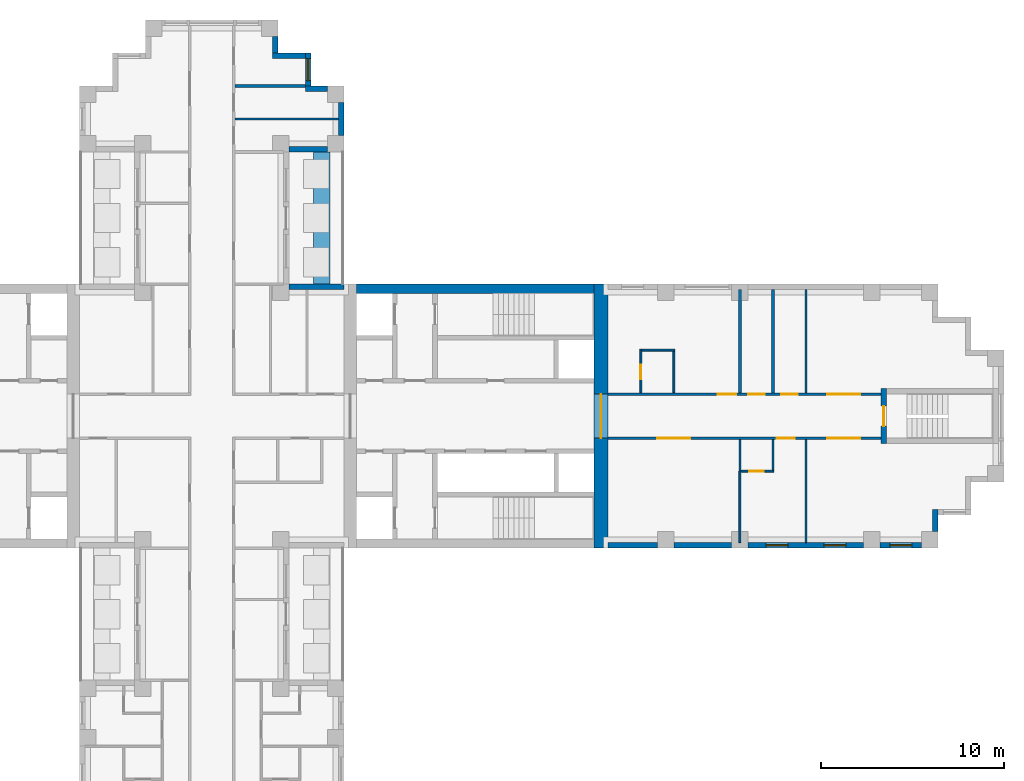
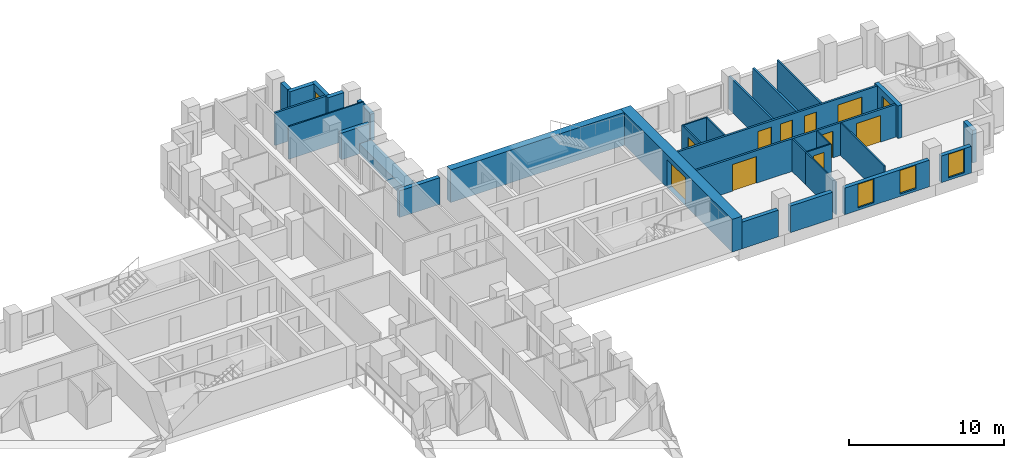
# One storey, part 10 of 14: 31 walls, 11 doors, 4 windows, 15 openings.
"""IFC4 building model written with IfcOpenShell, lengths in metres."""

from ifc_helpers import new_model, si_unit, direction, frame, frame_2d, origin, place, context, subcontext, project, spatial, rectangle, extrude, material, layer, layer_set, type_object, element, fill, save


model = new_model("IFC4")

# Units and contexts
model_context = context("Model", 3, precision=1e-05, world=origin(), true_north=direction((0.0, 1.0)))
body_context = subcontext(model_context, "Body", "Model", "MODEL_VIEW")
ifc_project = project(units=[si_unit("LENGTHUNIT", "METRE"), si_unit("AREAUNIT", "SQUARE_METRE"), si_unit("VOLUMEUNIT", "CUBIC_METRE"), si_unit("PLANEANGLEUNIT", "RADIAN"), si_unit("MASSUNIT", "GRAM", prefix="KILO")], contexts=[model_context])

# Site, building, storey
site_placement = place(None, origin())
site = spatial("IfcSite", under=ifc_project, at=site_placement, CompositionType="ELEMENT")
building_placement = place(site_placement, origin())
building = spatial("IfcBuilding", under=site, at=building_placement, Name="Fustian Cross Tower", CompositionType="ELEMENT")
storey_placement = place(building_placement, frame((0.0, 0.0, 93.89990234375)))
storey = spatial("IfcBuildingStorey", under=building, at=storey_placement, Name="L29", CompositionType="ELEMENT", Elevation=93.89990234375)

# Wall
ifc_material_1 = material(Name="Plasterboard on steel stud", Category="steel")
ifc_layer_1 = layer(ifc_material_1, 0.14990234375)
ifc_layer_set_1 = layer_set([ifc_layer_1], Name="Plasterboard on steel stud")
wall_type_1 = type_object("IfcWallType", Name="COMPARTMENT WALL 150 EI 60", PredefinedType="PARTITIONING", material=ifc_layer_set_1)
wall_1_placement = place(storey_placement, frame((1.27490234375, 18.0, 0.0), z_axis=(0.0, 0.0, 1.0), x_axis=(1.0, 0.0, 0.0)))
element("IfcWall", 1, at=wall_1_placement, inside=storey, type_object=wall_type_1, Name="Partition 55", PredefinedType="PARTITIONING", context=body_context, shape_type="SweptSolid", body=[
    extrude(rectangle(XDim=3.8251953125, YDim=0.14990234375, at=frame_2d((1.91259765625, 0.0))), origin(), (0.0, 0.0, 1.0), 2.5751953125),
])

# Wall, openings, doors
wall_2_placement = place(storey_placement, frame((21.60009765625, -1.199951171875, 0.0), z_axis=(0.0, 0.0, 1.0), x_axis=(1.0, 0.0, 0.0)))
wall_2 = element("IfcWall", 2, at=wall_2_placement, inside=storey, type_object=wall_type_1, Name="Partition 78", PredefinedType="PARTITIONING", context=body_context, shape_type="SweptSolid", body=[
    extrude(rectangle(XDim=14.89990234375, YDim=0.14990234375, at=frame_2d((7.449951171875, 0.0))), origin(), (0.0, 0.0, 1.0), 2.5751953125),
])
opening_1_placement = place(wall_2_placement, frame((2.699951171875, 0.0, 0.0)))
opening_1 = element("IfcOpeningElement", 3, at=opening_1_placement, cuts=wall_2, Name="Opening D14016", PredefinedType="OPENING", context=body_context, shape_type="SweptSolid", body=[
    extrude(rectangle(XDim=1.800048828125, YDim=2.10009765625, at=frame_2d((0.89990234375, 1.050048828125))), frame((0.0, 0.0849609375, 0.0), z_axis=(0.0, -1.0, 0.0), x_axis=(1.0, 0.0, 0.0)), (0.0, 0.0, 1.0), 0.169921875),
])
opening_2_placement = place(wall_2_placement, frame((9.199951171875, 0.0, 0.0)))
opening_2 = element("IfcOpeningElement", 4, at=opening_2_placement, cuts=wall_2, Name="Opening D14018", PredefinedType="OPENING", context=body_context, shape_type="SweptSolid", body=[
    extrude(rectangle(XDim=1.0, YDim=2.10009765625, at=frame_2d((0.5, 1.050048828125))), frame((0.0, 0.0849609375, 0.0), z_axis=(0.0, -1.0, 0.0), x_axis=(1.0, 0.0, 0.0)), (0.0, 0.0, 1.0), 0.169921875),
])
opening_3_placement = place(wall_2_placement, frame((11.949951171875, 0.0, 0.0)))
opening_3 = element("IfcOpeningElement", 5, at=opening_3_placement, cuts=wall_2, Name="Opening D14019", PredefinedType="OPENING", context=body_context, shape_type="SweptSolid", body=[
    extrude(rectangle(XDim=1.800048828125, YDim=2.10009765625, at=frame_2d((0.89990234375, 1.050048828125))), frame((0.0, 0.0849609375, 0.0), z_axis=(0.0, -1.0, 0.0), x_axis=(1.0, 0.0, 0.0)), (0.0, 0.0, 1.0), 0.169921875),
])
ifc_material_2 = material(Name="Timber fire door set", Category="wood")
door_type_1 = type_object("IfcDoorType", Name="FIRE DOUBLE DOOR 1800 FD30S", OperationType="DOUBLE_DOOR_DOUBLE_SWING", PredefinedType="DOOR", material=ifc_material_2)
door_1_placement = place(opening_1_placement, origin())
door_1 = element("IfcDoor", 6, at=door_1_placement, inside=storey, type_object=door_type_1, Name="Door D14016", OperationType="DOUBLE_DOOR_DOUBLE_SWING", OverallHeight=2.10009765625, OverallWidth=1.800048828125, PredefinedType="DOOR", context=body_context, shape_type="SweptSolid", body=[
    extrude(rectangle(XDim=1.800048828125, YDim=2.10009765625, at=frame_2d((0.89990234375, 1.050048828125))), frame((0.0, 0.02490234375, 0.0), z_axis=(0.0, -1.0, 0.0), x_axis=(1.0, 0.0, 0.0)), (0.0, 0.0, 1.0), 0.050048828125),
])
fill(opening_1, door_1)
door_2_placement = place(opening_3_placement, origin())
door_2 = element("IfcDoor", 7, at=door_2_placement, inside=storey, type_object=door_type_1, Name="Door D14019", OperationType="DOUBLE_DOOR_DOUBLE_SWING", OverallHeight=2.10009765625, OverallWidth=1.800048828125, PredefinedType="DOOR", context=body_context, shape_type="SweptSolid", body=[
    extrude(rectangle(XDim=1.800048828125, YDim=2.10009765625, at=frame_2d((0.89990234375, 1.050048828125))), frame((0.0, 0.02490234375, 0.0), z_axis=(0.0, -1.0, 0.0), x_axis=(1.0, 0.0, 0.0)), (0.0, 0.0, 1.0), 0.050048828125),
])
fill(opening_3, door_2)
ifc_material_3 = material(Name="Timber fire door set", Category="wood")
door_type_2 = type_object("IfcDoorType", Name="FIRE SWING DOOR 1000 FD30S", OperationType="SINGLE_SWING_LEFT", PredefinedType="DOOR", material=ifc_material_3)
door_3_placement = place(opening_2_placement, frame((1.0, 0.0, 0.0), z_axis=(0.0, 0.0, 1.0), x_axis=(-1.0, 0.0, 0.0)))
door_3 = element("IfcDoor", 8, at=door_3_placement, inside=storey, type_object=door_type_2, Name="Door D14018", OperationType="SINGLE_SWING_RIGHT", OverallHeight=2.10009765625, OverallWidth=1.0, PredefinedType="DOOR", context=body_context, shape_type="SweptSolid", body=[
    extrude(rectangle(XDim=1.0, YDim=2.10009765625, at=frame_2d((0.5, 1.050048828125))), frame((0.0, 0.02490234375, 0.0), z_axis=(0.0, -1.0, 0.0), x_axis=(1.0, 0.0, 0.0)), (0.0, 0.0, 1.0), 0.050048828125),
])
fill(opening_2, door_3)

wall_3_placement = place(storey_placement, frame((21.60009765625, 1.199951171875, 0.0), z_axis=(0.0, 0.0, 1.0), x_axis=(1.0, 0.0, 0.0)))
wall_3 = element("IfcWall", 9, at=wall_3_placement, inside=storey, type_object=wall_type_1, Name="Partition 79", PredefinedType="PARTITIONING", context=body_context, shape_type="SweptSolid", body=[
    extrude(rectangle(XDim=14.89990234375, YDim=0.14990234375, at=frame_2d((7.449951171875, 0.0))), origin(), (0.0, 0.0, 1.0), 2.5751953125),
])
opening_4_placement = place(wall_3_placement, frame((6.0, 0.0, 0.0)))
opening_4 = element("IfcOpeningElement", 10, at=opening_4_placement, cuts=wall_3, Name="Opening D14012", PredefinedType="OPENING", context=body_context, shape_type="SweptSolid", body=[
    extrude(rectangle(XDim=1.0, YDim=2.10009765625, at=frame_2d((0.5, 1.050048828125))), frame((0.0, 0.0849609375, 0.0), z_axis=(0.0, -1.0, 0.0), x_axis=(1.0, 0.0, 0.0)), (0.0, 0.0, 1.0), 0.169921875),
])
opening_5_placement = place(wall_3_placement, frame((7.64990234375, 0.0, 0.0)))
opening_5 = element("IfcOpeningElement", 11, at=opening_5_placement, cuts=wall_3, Name="Opening D14013", PredefinedType="OPENING", context=body_context, shape_type="SweptSolid", body=[
    extrude(rectangle(XDim=0.89990234375, YDim=2.10009765625, at=frame_2d((0.449951171875, 1.050048828125))), frame((0.0, 0.0849609375, 0.0), z_axis=(0.0, -1.0, 0.0), x_axis=(1.0, 0.0, 0.0)), (0.0, 0.0, 1.0), 0.169921875),
])
opening_6_placement = place(wall_3_placement, frame((9.449951171875, 0.0, 0.0)))
opening_6 = element("IfcOpeningElement", 12, at=opening_6_placement, cuts=wall_3, Name="Opening D14014", PredefinedType="OPENING", context=body_context, shape_type="SweptSolid", body=[
    extrude(rectangle(XDim=0.89990234375, YDim=2.10009765625, at=frame_2d((0.449951171875, 1.050048828125))), frame((0.0, 0.0849609375, 0.0), z_axis=(0.0, -1.0, 0.0), x_axis=(1.0, 0.0, 0.0)), (0.0, 0.0, 1.0), 0.169921875),
])
opening_7_placement = place(wall_3_placement, frame((11.949951171875, 0.0, 0.0)))
opening_7 = element("IfcOpeningElement", 13, at=opening_7_placement, cuts=wall_3, Name="Opening D14015", PredefinedType="OPENING", context=body_context, shape_type="SweptSolid", body=[
    extrude(rectangle(XDim=1.800048828125, YDim=2.10009765625, at=frame_2d((0.89990234375, 1.050048828125))), frame((0.0, 0.0849609375, 0.0), z_axis=(0.0, -1.0, 0.0), x_axis=(1.0, 0.0, 0.0)), (0.0, 0.0, 1.0), 0.169921875),
])
door_4_placement = place(opening_7_placement, frame((1.800048828125, 0.0, 0.0), z_axis=(0.0, 0.0, 1.0), x_axis=(-1.0, 0.0, 0.0)))
door_4 = element("IfcDoor", 14, at=door_4_placement, inside=storey, type_object=door_type_1, Name="Door D14015", OperationType="DOUBLE_DOOR_DOUBLE_SWING", OverallHeight=2.10009765625, OverallWidth=1.800048828125, PredefinedType="DOOR", context=body_context, shape_type="SweptSolid", body=[
    extrude(rectangle(XDim=1.800048828125, YDim=2.10009765625, at=frame_2d((0.89990234375, 1.050048828125))), frame((0.0, 0.02490234375, 0.0), z_axis=(0.0, -1.0, 0.0), x_axis=(1.0, 0.0, 0.0)), (0.0, 0.0, 1.0), 0.050048828125),
])
fill(opening_7, door_4)
door_5_placement = place(opening_4_placement, origin())
door_5 = element("IfcDoor", 15, at=door_5_placement, inside=storey, type_object=door_type_2, Name="Door D14012", OperationType="SINGLE_SWING_RIGHT", OverallHeight=2.10009765625, OverallWidth=1.0, PredefinedType="DOOR", context=body_context, shape_type="SweptSolid", body=[
    extrude(rectangle(XDim=1.0, YDim=2.10009765625, at=frame_2d((0.5, 1.050048828125))), frame((0.0, 0.02490234375, 0.0), z_axis=(0.0, -1.0, 0.0), x_axis=(1.0, 0.0, 0.0)), (0.0, 0.0, 1.0), 0.050048828125),
])
fill(opening_4, door_5)
ifc_material_4 = material(Name="Timber fire door set", Category="wood")
door_type_3 = type_object("IfcDoorType", Name="FIRE SWING DOOR 900 FD30S", OperationType="SINGLE_SWING_LEFT", PredefinedType="DOOR", material=ifc_material_4)
door_6_placement = place(opening_5_placement, origin())
door_6 = element("IfcDoor", 16, at=door_6_placement, inside=storey, type_object=door_type_3, Name="Door D14013", OperationType="SINGLE_SWING_RIGHT", OverallHeight=2.10009765625, OverallWidth=0.89990234375, PredefinedType="DOOR", context=body_context, shape_type="SweptSolid", body=[
    extrude(rectangle(XDim=0.89990234375, YDim=2.10009765625, at=frame_2d((0.449951171875, 1.050048828125))), frame((0.0, 0.02490234375, 0.0), z_axis=(0.0, -1.0, 0.0), x_axis=(1.0, 0.0, 0.0)), (0.0, 0.0, 1.0), 0.050048828125),
])
fill(opening_5, door_6)
door_7_placement = place(opening_6_placement, origin())
door_7 = element("IfcDoor", 17, at=door_7_placement, inside=storey, type_object=door_type_3, Name="Door D14014", OperationType="SINGLE_SWING_RIGHT", OverallHeight=2.10009765625, OverallWidth=0.89990234375, PredefinedType="DOOR", context=body_context, shape_type="SweptSolid", body=[
    extrude(rectangle(XDim=0.89990234375, YDim=2.10009765625, at=frame_2d((0.449951171875, 1.050048828125))), frame((0.0, 0.02490234375, 0.0), z_axis=(0.0, -1.0, 0.0), x_axis=(1.0, 0.0, 0.0)), (0.0, 0.0, 1.0), 0.050048828125),
])
fill(opening_6, door_7)

# Walls
for number, where, z_axis, x_axis, name in (
    (18, (28.800048828125, 1.27490234375, 0.0), (0.0, 0.0, 1.0), (0.0, 1.0, 0.0), "Partition 86"),
    (19, (30.60009765625, 1.27490234375, 0.0), (0.0, 0.0, 1.0), (0.0, 1.0, 0.0), "Partition 88"),
):
    element("IfcWall", number, at=place(storey_placement, frame(where, z_axis=z_axis, x_axis=x_axis)), inside=storey, type_object=wall_type_1, Name=name, PredefinedType="PARTITIONING", context=body_context, shape_type="SweptSolid", body=[
        extrude(rectangle(XDim=5.625, YDim=0.14990234375, at=frame_2d((2.8125, 0.0))), origin(), (0.0, 0.0, 1.0), 2.5751953125),
    ])

# Wall, opening, door
ifc_material_5 = material(Name="Concrete C70/85", Category="concrete")
ifc_layer_2 = layer(ifc_material_5, 0.75)
ifc_layer_set_2 = layer_set([ifc_layer_2], Name="Concrete C70/85")
wall_type_2 = type_object("IfcWallType", Name="CORE END WALL 750 C70/85", PredefinedType="SHEAR", material=ifc_layer_set_2)
wall_4_placement = place(storey_placement, frame((21.22509765625, -7.199951171875, 0.0), z_axis=(0.0, 0.0, 1.0), x_axis=(0.0, 1.0, 0.0)))
wall_4 = element("IfcWall", 20, at=wall_4_placement, inside=storey, type_object=wall_type_2, Name="Core end wall", PredefinedType="SHEAR", context=body_context, shape_type="SweptSolid", body=[
    extrude(rectangle(XDim=14.39990234375, YDim=0.75, at=frame_2d((7.199951171875, 0.0))), origin(), (0.0, 0.0, 1.0), 2.5751953125),
])
opening_8_placement = place(wall_4_placement, frame((6.0, 0.0, 0.0)))
opening_8 = element("IfcOpeningElement", 21, at=opening_8_placement, cuts=wall_4, Name="Opening CD-09-13", PredefinedType="OPENING", context=body_context, shape_type="SweptSolid", body=[
    extrude(rectangle(XDim=2.39990234375, YDim=2.199951171875, at=frame_2d((1.199951171875, 1.10009765625))), frame((0.0, 0.385009765625, 0.0), z_axis=(0.0, -1.0, 0.0), x_axis=(1.0, 0.0, 0.0)), (0.0, 0.0, 1.0), 0.77001953125),
])
ifc_material_6 = material(Name="Steel", Category="steel")
door_type_4 = type_object("IfcDoorType", Name="FIRE DOOR FD30S DOUBLE 2400X2200", OperationType="DOUBLE_DOOR_DOUBLE_SWING", PredefinedType="DOOR", material=ifc_material_6)
door_8_placement = place(opening_8_placement, origin())
door_8 = element("IfcDoor", 22, at=door_8_placement, inside=storey, type_object=door_type_4, Name="Core door CD-09-13", OperationType="DOUBLE_DOOR_DOUBLE_SWING", OverallHeight=2.199951171875, OverallWidth=2.39990234375, PredefinedType="DOOR", context=body_context, shape_type="SweptSolid", body=[
    extrude(rectangle(XDim=2.39990234375, YDim=2.199951171875, at=frame_2d((1.199951171875, 1.10009765625))), frame((0.0, 0.02490234375, 0.0), z_axis=(0.0, -1.0, 0.0), x_axis=(1.0, 0.0, 0.0)), (0.0, 0.0, 1.0), 0.050048828125),
])
fill(opening_8, door_8)

# Walls
ifc_material_7 = material(Name="Concrete C70/85", Category="concrete")
ifc_layer_3 = layer(ifc_material_7, 0.5)
ifc_layer_set_3 = layer_set([ifc_layer_3], Name="Concrete C70/85")
wall_type_3 = type_object("IfcWallType", Name="CORE FACADE WALL 500 C70/85", PredefinedType="SHEAR", material=ifc_layer_set_3)
wall_5_placement = place(storey_placement, frame((7.89990234375, 6.949951171875, 0.0), z_axis=(0.0, 0.0, 1.0), x_axis=(1.0, 0.0, 0.0)))
element("IfcWall", 23, at=wall_5_placement, inside=storey, type_object=wall_type_3, Name="Core facade wall", PredefinedType="SHEAR", context=body_context, shape_type="SweptSolid", body=[
    extrude(rectangle(XDim=12.9501953125, YDim=0.5, at=frame_2d((6.47509765625, 0.0))), origin(), (0.0, 0.0, 1.0), 2.5751953125),
])
ifc_material_8 = material(Name="Plasterboard on steel stud", Category="steel")
ifc_layer_4 = layer(ifc_material_8, 0.10009765625)
ifc_layer_set_4 = layer_set([ifc_layer_4], Name="Plasterboard on steel stud")
wall_type_4 = type_object("IfcWallType", Name="PARTITION 100 STUD", PredefinedType="PARTITIONING", material=ifc_layer_set_4)
wall_6_placement = place(storey_placement, frame((1.27490234375, 16.199951171875, 0.0), z_axis=(0.0, 0.0, 1.0), x_axis=(1.0, 0.0, 0.0)))
element("IfcWall", 24, at=wall_6_placement, inside=storey, type_object=wall_type_4, Name="Partition 54", PredefinedType="PARTITIONING", context=body_context, shape_type="SweptSolid", body=[
    extrude(rectangle(XDim=5.625, YDim=0.10009765625, at=frame_2d((2.8125, 0.0))), origin(), (0.0, 0.0, 1.0), 2.5751953125),
])

# Wall, opening, door
wall_7_placement = place(storey_placement, frame((23.39990234375, 1.27490234375, 0.0), z_axis=(0.0, 0.0, 1.0), x_axis=(0.0, 1.0, 0.0)))
wall_7 = element("IfcWall", 25, at=wall_7_placement, inside=storey, type_object=wall_type_4, Name="Partition 80", PredefinedType="PARTITIONING", context=body_context, shape_type="SweptSolid", body=[
    extrude(rectangle(XDim=2.375, YDim=0.10009765625, at=frame_2d((1.1875, 0.0))), origin(), (0.0, 0.0, 1.0), 2.5751953125),
])
opening_9_placement = place(wall_7_placement, frame((0.72509765625, 0.0, 0.0)))
opening_9 = element("IfcOpeningElement", 26, at=opening_9_placement, cuts=wall_7, Name="Opening D14011", PredefinedType="OPENING", context=body_context, shape_type="SweptSolid", body=[
    extrude(rectangle(XDim=0.800048828125, YDim=2.10009765625, at=frame_2d((0.39990234375, 1.050048828125))), frame((0.0, 0.06005859375, 0.0), z_axis=(0.0, -1.0, 0.0), x_axis=(1.0, 0.0, 0.0)), (0.0, 0.0, 1.0), 0.1201171875),
])
ifc_material_9 = material(Name="Painted timber", Category="wood")
door_type_5 = type_object("IfcDoorType", Name="SWING DOOR 800", OperationType="SINGLE_SWING_LEFT", PredefinedType="DOOR", material=ifc_material_9)
door_9_placement = place(opening_9_placement, frame((0.800048828125, 0.0, 0.0), z_axis=(0.0, 0.0, 1.0), x_axis=(-1.0, 0.0, 0.0)))
door_9 = element("IfcDoor", 27, at=door_9_placement, inside=storey, type_object=door_type_5, Name="Door D14011", OperationType="SINGLE_SWING_RIGHT", OverallHeight=2.10009765625, OverallWidth=0.800048828125, PredefinedType="DOOR", context=body_context, shape_type="SweptSolid", body=[
    extrude(rectangle(XDim=0.800048828125, YDim=2.10009765625, at=frame_2d((0.39990234375, 1.050048828125))), frame((0.0, 0.02490234375, 0.0), z_axis=(0.0, -1.0, 0.0), x_axis=(1.0, 0.0, 0.0)), (0.0, 0.0, 1.0), 0.050048828125),
])
fill(opening_9, door_9)

# Walls
wall_8_placement = place(storey_placement, frame((23.449951171875, 3.60009765625, 0.0), z_axis=(0.0, 0.0, 1.0), x_axis=(1.0, 0.0, 0.0)))
element("IfcWall", 28, at=wall_8_placement, inside=storey, type_object=wall_type_4, Name="Partition 81", PredefinedType="PARTITIONING", context=body_context, shape_type="SweptSolid", body=[
    extrude(rectangle(XDim=1.800048828125, YDim=0.10009765625, at=frame_2d((0.89990234375, 0.0))), origin(), (0.0, 0.0, 1.0), 2.5751953125),
])
wall_9_placement = place(storey_placement, frame((25.199951171875, 1.27490234375, 0.0), z_axis=(0.0, 0.0, 1.0), x_axis=(0.0, 1.0, 0.0)))
element("IfcWall", 29, at=wall_9_placement, inside=storey, type_object=wall_type_4, Name="Partition 82", PredefinedType="PARTITIONING", context=body_context, shape_type="SweptSolid", body=[
    extrude(rectangle(XDim=2.275146484375, YDim=0.10009765625, at=frame_2d((1.1376953125, 0.0))), origin(), (0.0, 0.0, 1.0), 2.5751953125),
])
wall_10_placement = place(storey_placement, frame((28.800048828125, -6.89990234375, 0.0), z_axis=(0.0, 0.0, 1.0), x_axis=(0.0, 1.0, 0.0)))
element("IfcWall", 30, at=wall_10_placement, inside=storey, type_object=wall_type_4, Name="Partition 83", PredefinedType="PARTITIONING", context=body_context, shape_type="SweptSolid", body=[
    extrude(rectangle(XDim=3.89990234375, YDim=0.10009765625, at=frame_2d((1.949951171875, 0.0))), origin(), (0.0, 0.0, 1.0), 2.5751953125),
])

# Wall, opening, door
wall_11_placement = place(storey_placement, frame((28.862548828125, -3.0, 0.0), z_axis=(0.0, 0.0, 1.0), x_axis=(1.0, 0.0, 0.0)))
wall_11 = element("IfcWall", 31, at=wall_11_placement, inside=storey, type_object=wall_type_4, Name="Partition 85", PredefinedType="PARTITIONING", context=body_context, shape_type="SweptSolid", body=[
    extrude(rectangle(XDim=1.787353515625, YDim=0.10009765625, at=frame_2d((0.8935546875, 0.0))), origin(), (0.0, 0.0, 1.0), 2.5751953125),
])
opening_10_placement = place(wall_11_placement, frame((0.4375, 0.0, 0.0)))
opening_10 = element("IfcOpeningElement", 32, at=opening_10_placement, cuts=wall_11, Name="Opening D14017", PredefinedType="OPENING", context=body_context, shape_type="SweptSolid", body=[
    extrude(rectangle(XDim=0.800048828125, YDim=2.10009765625, at=frame_2d((0.39990234375, 1.050048828125))), frame((0.0, 0.06005859375, 0.0), z_axis=(0.0, -1.0, 0.0), x_axis=(1.0, 0.0, 0.0)), (0.0, 0.0, 1.0), 0.1201171875),
])
door_10_placement = place(opening_10_placement, origin())
door_10 = element("IfcDoor", 33, at=door_10_placement, inside=storey, type_object=door_type_5, Name="Door D14017", OperationType="SINGLE_SWING_RIGHT", OverallHeight=2.10009765625, OverallWidth=0.800048828125, PredefinedType="DOOR", context=body_context, shape_type="SweptSolid", body=[
    extrude(rectangle(XDim=0.800048828125, YDim=2.10009765625, at=frame_2d((0.39990234375, 1.050048828125))), frame((0.0, 0.02490234375, 0.0), z_axis=(0.0, -1.0, 0.0), x_axis=(1.0, 0.0, 0.0)), (0.0, 0.0, 1.0), 0.050048828125),
])
fill(opening_10, door_10)

# Walls
wall_12_placement = place(storey_placement, frame((30.60009765625, -2.949951171875, 0.0), z_axis=(0.0, 0.0, 1.0), x_axis=(0.0, 1.0, 0.0)))
element("IfcWall", 34, at=wall_12_placement, inside=storey, type_object=wall_type_4, Name="Partition 87", PredefinedType="PARTITIONING", context=body_context, shape_type="SweptSolid", body=[
    extrude(rectangle(XDim=1.675048828125, YDim=0.10009765625, at=frame_2d((0.83740234375, 0.0))), origin(), (0.0, 0.0, 1.0), 2.5751953125),
])
wall_13_placement = place(storey_placement, frame((32.39990234375, -6.89990234375, 0.0), z_axis=(0.0, 0.0, 1.0), x_axis=(0.0, 1.0, 0.0)))
element("IfcWall", 35, at=wall_13_placement, inside=storey, type_object=wall_type_4, Name="Partition 89", PredefinedType="PARTITIONING", context=body_context, shape_type="SweptSolid", body=[
    extrude(rectangle(XDim=5.625, YDim=0.10009765625, at=frame_2d((2.8125, 0.0))), origin(), (0.0, 0.0, 1.0), 2.5751953125),
])
ifc_material_10 = material(Name="Concrete C40/50", Category="concrete")
ifc_layer_5 = layer(ifc_material_10, 0.89990234375)
ifc_layer_set_5 = layer_set([ifc_layer_5], Name="Concrete C40/50")
wall_type_5 = type_object("IfcWallType", Name="PK1 PLANTER 900", PredefinedType="PARAPET", material=ifc_layer_set_5)
wall_14_placement = place(storey_placement, frame((6.0, 7.199951171875, 0.0), z_axis=(0.0, 0.0, 1.0), x_axis=(0.0, 1.0, 0.0)))
element("IfcWall", 36, at=wall_14_placement, inside=storey, type_object=wall_type_5, Name="PLANTER", PredefinedType="PARAPET", context=body_context, shape_type="SweptSolid", body=[
    extrude(rectangle(XDim=7.199951171875, YDim=0.89990234375, at=frame_2d((3.60009765625, 0.0))), origin(), (0.0, 0.0, 1.0), 0.800048828125),
])

# Wall, opening, door
ifc_material_11 = material(Name="Concrete C50/60", Category="concrete")
ifc_layer_6 = layer(ifc_material_11, 0.300048828125)
ifc_layer_set_6 = layer_set([ifc_layer_6], Name="Concrete C50/60")
wall_type_6 = type_object("IfcWallType", Name="STAIR ENCLOSURE WALL 300 C50/60", PredefinedType="SHEAR", material=ifc_layer_set_6)
wall_15_placement = place(storey_placement, frame((36.64990234375, -1.5, 0.0), z_axis=(0.0, 0.0, 1.0), x_axis=(0.0, 1.0, 0.0)))
wall_15 = element("IfcWall", 37, at=wall_15_placement, inside=storey, type_object=wall_type_6, Name="Stair enclosure wall", PredefinedType="SHEAR", context=body_context, shape_type="SweptSolid", body=[
    extrude(rectangle(XDim=3.0, YDim=0.300048828125, at=frame_2d((1.5, 0.0))), origin(), (0.0, 0.0, 1.0), 2.5751953125),
])
opening_11_placement = place(wall_15_placement, frame((0.949951171875, 0.0, 0.0)))
opening_11 = element("IfcOpeningElement", 38, at=opening_11_placement, cuts=wall_15, Name="Opening CD-09-30", PredefinedType="OPENING", context=body_context, shape_type="SweptSolid", body=[
    extrude(rectangle(XDim=1.10009765625, YDim=2.10009765625, at=frame_2d((0.550048828125, 1.050048828125))), frame((0.0, 0.159912109375, 0.0), z_axis=(0.0, -1.0, 0.0), x_axis=(1.0, 0.0, 0.0)), (0.0, 0.0, 1.0), 0.320068359375),
])
ifc_material_12 = material(Name="Steel", Category="steel")
door_type_6 = type_object("IfcDoorType", Name="FIRE DOOR FD60S 1100X2100", OperationType="SINGLE_SWING_LEFT", PredefinedType="DOOR", material=ifc_material_12)
door_11_placement = place(opening_11_placement, frame((1.10009765625, 0.0, 0.0), z_axis=(0.0, 0.0, 1.0), x_axis=(-1.0, 0.0, 0.0)))
door_11 = element("IfcDoor", 39, at=door_11_placement, inside=storey, type_object=door_type_6, Name="Core door CD-09-30", OperationType="SINGLE_SWING_RIGHT", OverallHeight=2.10009765625, OverallWidth=1.10009765625, PredefinedType="DOOR", context=body_context, shape_type="SweptSolid", body=[
    extrude(rectangle(XDim=1.10009765625, YDim=2.10009765625, at=frame_2d((0.550048828125, 1.050048828125))), frame((0.0, 0.02490234375, 0.0), z_axis=(0.0, -1.0, 0.0), x_axis=(1.0, 0.0, 0.0)), (0.0, 0.0, 1.0), 0.050048828125),
])
fill(opening_11, door_11)

# Walls
ifc_material_13 = material(Name="Plasterboard on steel stud", Category="steel")
ifc_layer_7 = layer(ifc_material_13, 0.125)
ifc_layer_set_7 = layer_set([ifc_layer_7], Name="Plasterboard on steel stud")
wall_type_7 = type_object("IfcWallType", Name="WET WALL 125 STUD", PredefinedType="PARTITIONING", material=ifc_layer_set_7)
wall_16_placement = place(storey_placement, frame((28.800048828125, -3.0, 0.0), z_axis=(0.0, 0.0, 1.0), x_axis=(0.0, 1.0, 0.0)))
element("IfcWall", 40, at=wall_16_placement, inside=storey, type_object=wall_type_7, Name="Partition 84", PredefinedType="PARTITIONING", context=body_context, shape_type="SweptSolid", body=[
    extrude(rectangle(XDim=1.72509765625, YDim=0.125, at=frame_2d((0.862548828125, 0.0))), origin(), (0.0, 0.0, 1.0), 2.5751953125),
])
wall_17_placement = place(storey_placement, frame((32.39990234375, 1.27490234375, 0.0), z_axis=(0.0, 0.0, 1.0), x_axis=(0.0, 1.0, 0.0)))
element("IfcWall", 41, at=wall_17_placement, inside=storey, type_object=wall_type_7, Name="Partition 90", PredefinedType="PARTITIONING", context=body_context, shape_type="SweptSolid", body=[
    extrude(rectangle(XDim=5.625, YDim=0.125, at=frame_2d((2.8125, 0.0))), origin(), (0.0, 0.0, 1.0), 2.5751953125),
])
ifc_material_14 = material(Name="Dark aluminium cladding on insulated backing wall", Category="aluminium")
ifc_layer_8 = layer(ifc_material_14, 0.300048828125)
ifc_layer_set_8 = layer_set([ifc_layer_8], Name="Dark aluminium cladding on insulated backing wall")
wall_type_8 = type_object("IfcWallType", Name="XW1 EXTERNAL WALL 300", PredefinedType="SOLIDWALL", material=ifc_layer_set_8)
wall_18_placement = place(storey_placement, frame((21.60009765625, -7.050048828125, 0.0), z_axis=(0.0, 0.0, 1.0), x_axis=(1.0, 0.0, 0.0)))
element("IfcWall", 42, at=wall_18_placement, inside=storey, type_object=wall_type_8, Name="External wall", PredefinedType="SOLIDWALL", context=body_context, shape_type="SweptSolid", body=[
    extrude(rectangle(XDim=2.699951171875, YDim=0.300048828125, at=frame_2d((1.35009765625, 0.0))), origin(), (0.0, 0.0, 1.0), 2.10009765625),
])
wall_19_placement = place(storey_placement, frame((25.199951171875, -7.050048828125, 0.0), z_axis=(0.0, 0.0, 1.0), x_axis=(1.0, 0.0, 0.0)))
element("IfcWall", 43, at=wall_19_placement, inside=storey, type_object=wall_type_8, Name="External wall", PredefinedType="SOLIDWALL", context=body_context, shape_type="SweptSolid", body=[
    extrude(rectangle(XDim=3.150146484375, YDim=0.300048828125, at=frame_2d((1.5751953125, 0.0))), origin(), (0.0, 0.0, 1.0), 2.10009765625),
])

# Wall, openings, windows
wall_20_placement = place(storey_placement, frame((29.25, -7.050048828125, 0.0), z_axis=(0.0, 0.0, 1.0), x_axis=(1.0, 0.0, 0.0)))
wall_20 = element("IfcWall", 44, at=wall_20_placement, inside=storey, type_object=wall_type_8, Name="External wall", PredefinedType="SOLIDWALL", context=body_context, shape_type="SweptSolid", body=[
    extrude(rectangle(XDim=6.300048828125, YDim=0.300048828125, at=frame_2d((3.14990234375, 0.0))), origin(), (0.0, 0.0, 1.0), 2.10009765625),
])
opening_12_placement = place(wall_20_placement, frame((0.97509765625, 0.0, 0.199951171875)))
opening_12 = element("IfcOpeningElement", 45, at=opening_12_placement, cuts=wall_20, Name="Opening WN3", PredefinedType="OPENING", context=body_context, shape_type="SweptSolid", body=[
    extrude(rectangle(XDim=1.199951171875, YDim=1.85009765625, at=frame_2d((0.60009765625, 0.925048828125))), frame((0.0, 0.159912109375, 0.0), z_axis=(0.0, -1.0, 0.0), x_axis=(1.0, 0.0, 0.0)), (0.0, 0.0, 1.0), 0.320068359375),
])
opening_13_placement = place(wall_20_placement, frame((4.125, 0.0, 0.199951171875)))
opening_13 = element("IfcOpeningElement", 46, at=opening_13_placement, cuts=wall_20, Name="Opening WN3", PredefinedType="OPENING", context=body_context, shape_type="SweptSolid", body=[
    extrude(rectangle(XDim=1.199951171875, YDim=1.85009765625, at=frame_2d((0.60009765625, 0.925048828125))), frame((0.0, 0.159912109375, 0.0), z_axis=(0.0, -1.0, 0.0), x_axis=(1.0, 0.0, 0.0)), (0.0, 0.0, 1.0), 0.320068359375),
])
ifc_material_15 = material(Name="Dark anodised aluminium and double glazing", Category="aluminium")
window_type = type_object("IfcWindowType", Name="WN3 WINDOW 1200X1850", PartitioningType="SINGLE_PANEL", PredefinedType="WINDOW", material=ifc_material_15)
window_1_placement = place(opening_12_placement, origin())
window_1 = element("IfcWindow", 47, at=window_1_placement, inside=storey, type_object=window_type, Name="Window", OverallHeight=1.85009765625, OverallWidth=1.199951171875, PartitioningType="SINGLE_PANEL", PredefinedType="WINDOW", context=body_context, shape_type="SweptSolid", body=[
    extrude(rectangle(XDim=1.199951171875, YDim=1.85009765625, at=frame_2d((0.60009765625, 0.925048828125))), frame((0.0, 0.030029296875, 0.0), z_axis=(0.0, -1.0, 0.0), x_axis=(1.0, 0.0, 0.0)), (0.0, 0.0, 1.0), 0.06005859375),
])
fill(opening_12, window_1)
window_2_placement = place(opening_13_placement, origin())
window_2 = element("IfcWindow", 48, at=window_2_placement, inside=storey, type_object=window_type, Name="Window", OverallHeight=1.85009765625, OverallWidth=1.199951171875, PartitioningType="SINGLE_PANEL", PredefinedType="WINDOW", context=body_context, shape_type="SweptSolid", body=[
    extrude(rectangle(XDim=1.199951171875, YDim=1.85009765625, at=frame_2d((0.60009765625, 0.925048828125))), frame((0.0, 0.030029296875, 0.0), z_axis=(0.0, -1.0, 0.0), x_axis=(1.0, 0.0, 0.0)), (0.0, 0.0, 1.0), 0.06005859375),
])
fill(opening_13, window_2)

# Wall, opening, window
wall_21_placement = place(storey_placement, frame((36.449951171875, -7.050048828125, 0.0), z_axis=(0.0, 0.0, 1.0), x_axis=(1.0, 0.0, 0.0)))
wall_21 = element("IfcWall", 49, at=wall_21_placement, inside=storey, type_object=wall_type_8, Name="External wall", PredefinedType="SOLIDWALL", context=body_context, shape_type="SweptSolid", body=[
    extrude(rectangle(XDim=2.25, YDim=0.300048828125, at=frame_2d((1.125, 0.0))), origin(), (0.0, 0.0, 1.0), 2.10009765625),
])
opening_14_placement = place(wall_21_placement, frame((0.52490234375, 0.0, 0.199951171875)))
opening_14 = element("IfcOpeningElement", 50, at=opening_14_placement, cuts=wall_21, Name="Opening WN3", PredefinedType="OPENING", context=body_context, shape_type="SweptSolid", body=[
    extrude(rectangle(XDim=1.199951171875, YDim=1.85009765625, at=frame_2d((0.60009765625, 0.925048828125))), frame((0.0, 0.159912109375, 0.0), z_axis=(0.0, -1.0, 0.0), x_axis=(1.0, 0.0, 0.0)), (0.0, 0.0, 1.0), 0.320068359375),
])
window_3_placement = place(opening_14_placement, origin())
window_3 = element("IfcWindow", 51, at=window_3_placement, inside=storey, type_object=window_type, Name="Window", OverallHeight=1.85009765625, OverallWidth=1.199951171875, PartitioningType="SINGLE_PANEL", PredefinedType="WINDOW", context=body_context, shape_type="SweptSolid", body=[
    extrude(rectangle(XDim=1.199951171875, YDim=1.85009765625, at=frame_2d((0.60009765625, 0.925048828125))), frame((0.0, 0.030029296875, 0.0), z_axis=(0.0, -1.0, 0.0), x_axis=(1.0, 0.0, 0.0)), (0.0, 0.0, 1.0), 0.06005859375),
])
fill(opening_14, window_3)

# Walls
wall_22_placement = place(storey_placement, frame((39.449951171875, -6.300048828125, 0.0), z_axis=(0.0, 0.0, 1.0), x_axis=(0.0, 1.0, 0.0)))
element("IfcWall", 52, at=wall_22_placement, inside=storey, type_object=wall_type_8, Name="External wall", PredefinedType="SOLIDWALL", context=body_context, shape_type="SweptSolid", body=[
    extrude(rectangle(XDim=1.199951171875, YDim=0.300048828125, at=frame_2d((0.60009765625, 0.0))), origin(), (0.0, 0.0, 1.0), 2.5751953125),
])
wall_23_placement = place(storey_placement, frame((7.199951171875, 7.050048828125, 0.0), z_axis=(0.0, 0.0, 1.0), x_axis=(-1.0, 0.0, 0.0)))
element("IfcWall", 53, at=wall_23_placement, inside=storey, type_object=wall_type_8, Name="External wall", PredefinedType="SOLIDWALL", context=body_context, shape_type="SweptSolid", body=[
    extrude(rectangle(XDim=3.0, YDim=0.300048828125, at=frame_2d((1.5, 0.0))), origin(), (0.0, 0.0, 1.0), 2.10009765625),
])
wall_24_placement = place(storey_placement, frame((4.199951171875, 14.550048828125, 0.0), z_axis=(0.0, 0.0, 1.0), x_axis=(1.0, 0.0, 0.0)))
element("IfcWall", 54, at=wall_24_placement, inside=storey, type_object=wall_type_8, Name="External wall", PredefinedType="SOLIDWALL", context=body_context, shape_type="SweptSolid", body=[
    extrude(rectangle(XDim=2.10009765625, YDim=0.300048828125, at=frame_2d((1.050048828125, 0.0))), origin(), (0.0, 0.0, 1.0), 2.10009765625),
])
wall_25_placement = place(storey_placement, frame((7.050048828125, 15.300048828125, 0.0), z_axis=(0.0, 0.0, 1.0), x_axis=(0.0, 1.0, 0.0)))
element("IfcWall", 55, at=wall_25_placement, inside=storey, type_object=wall_type_8, Name="External wall", PredefinedType="SOLIDWALL", context=body_context, shape_type="SweptSolid", body=[
    extrude(rectangle(XDim=1.800048828125, YDim=0.300048828125, at=frame_2d((0.89990234375, 0.0))), origin(), (0.0, 0.0, 1.0), 2.10009765625),
])
wall_26_placement = place(storey_placement, frame((6.300048828125, 17.85009765625, 0.0), z_axis=(0.0, 0.0, 1.0), x_axis=(-1.0, 0.0, 0.0)))
element("IfcWall", 56, at=wall_26_placement, inside=storey, type_object=wall_type_8, Name="External wall", PredefinedType="SOLIDWALL", context=body_context, shape_type="SweptSolid", body=[
    extrude(rectangle(XDim=1.199951171875, YDim=0.300048828125, at=frame_2d((0.60009765625, 0.0))), origin(), (0.0, 0.0, 1.0), 2.5751953125),
])

# Wall, opening, window
wall_27_placement = place(storey_placement, frame((5.25, 18.0, 0.0), z_axis=(0.0, 0.0, 1.0), x_axis=(0.0, 1.0, 0.0)))
wall_27 = element("IfcWall", 57, at=wall_27_placement, inside=storey, type_object=wall_type_8, Name="External wall", PredefinedType="SOLIDWALL", context=body_context, shape_type="SweptSolid", body=[
    extrude(rectangle(XDim=1.800048828125, YDim=0.300048828125, at=frame_2d((0.89990234375, 0.0))), origin(), (0.0, 0.0, 1.0), 2.5751953125),
])
opening_15_placement = place(wall_27_placement, frame((0.300048828125, 0.0, 0.199951171875)))
opening_15 = element("IfcOpeningElement", 58, at=opening_15_placement, cuts=wall_27, Name="Opening WN3", PredefinedType="OPENING", context=body_context, shape_type="SweptSolid", body=[
    extrude(rectangle(XDim=1.199951171875, YDim=1.85009765625, at=frame_2d((0.60009765625, 0.925048828125))), frame((0.0, 0.159912109375, 0.0), z_axis=(0.0, -1.0, 0.0), x_axis=(1.0, 0.0, 0.0)), (0.0, 0.0, 1.0), 0.320068359375),
])
window_4_placement = place(opening_15_placement, origin())
window_4 = element("IfcWindow", 59, at=window_4_placement, inside=storey, type_object=window_type, Name="Window", OverallHeight=1.85009765625, OverallWidth=1.199951171875, PartitioningType="SINGLE_PANEL", PredefinedType="WINDOW", context=body_context, shape_type="SweptSolid", body=[
    extrude(rectangle(XDim=1.199951171875, YDim=1.85009765625, at=frame_2d((0.60009765625, 0.925048828125))), frame((0.0, 0.030029296875, 0.0), z_axis=(0.0, -1.0, 0.0), x_axis=(1.0, 0.0, 0.0)), (0.0, 0.0, 1.0), 0.06005859375),
])
fill(opening_15, window_4)

# Walls
wall_28_placement = place(storey_placement, frame((5.10009765625, 19.64990234375, 0.0), z_axis=(0.0, 0.0, 1.0), x_axis=(-1.0, 0.0, 0.0)))
element("IfcWall", 60, at=wall_28_placement, inside=storey, type_object=wall_type_8, Name="External wall", PredefinedType="SOLIDWALL", context=body_context, shape_type="SweptSolid", body=[
    extrude(rectangle(XDim=1.800048828125, YDim=0.300048828125, at=frame_2d((0.89990234375, 0.0))), origin(), (0.0, 0.0, 1.0), 2.5751953125),
])
wall_29_placement = place(storey_placement, frame((3.449951171875, 19.800048828125, 0.0), z_axis=(0.0, 0.0, 1.0), x_axis=(0.0, 1.0, 0.0)))
element("IfcWall", 61, at=wall_29_placement, inside=storey, type_object=wall_type_8, Name="External wall", PredefinedType="SOLIDWALL", context=body_context, shape_type="SweptSolid", body=[
    extrude(rectangle(XDim=0.89990234375, YDim=0.300048828125, at=frame_2d((0.449951171875, 0.0))), origin(), (0.0, 0.0, 1.0), 2.5751953125),
])

save(model, "model.ifc")
